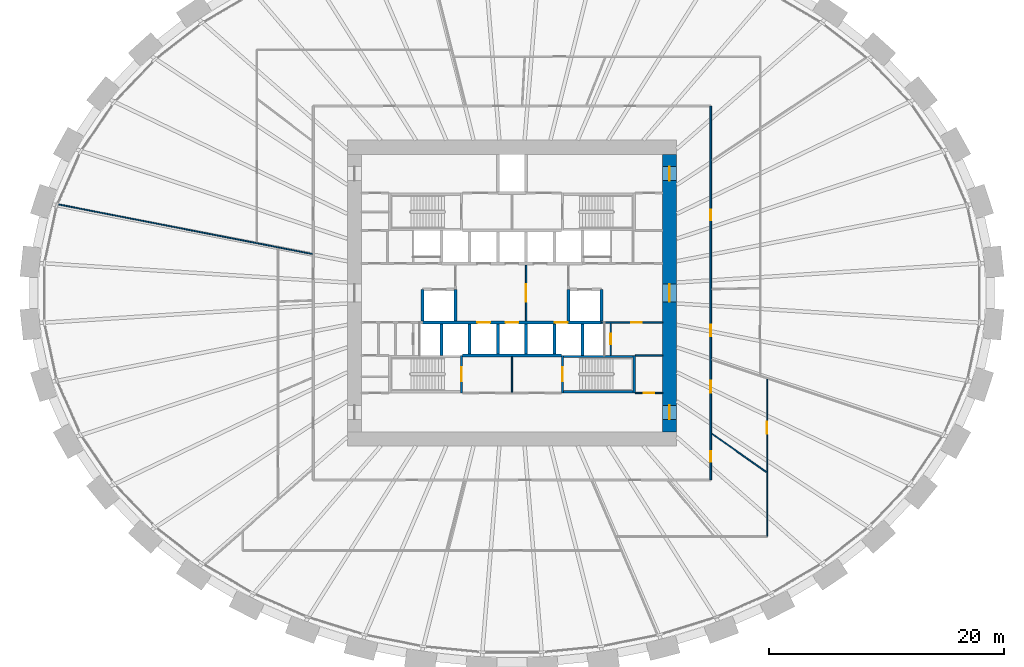
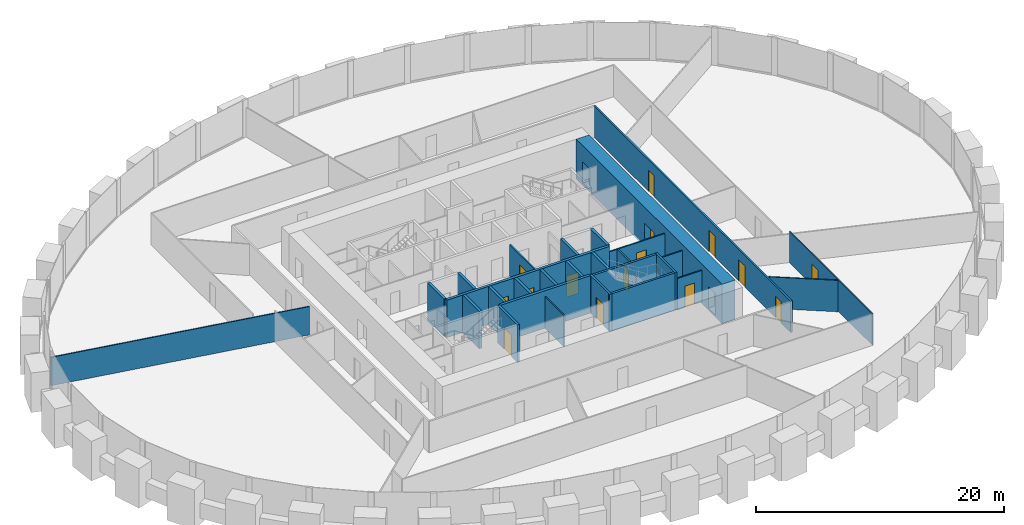
# One storey, part 7 of 10: 28 walls, 17 doors, 17 openings.
"""IFC4 building model written with IfcOpenShell, lengths in metres."""

from ifc_helpers import new_model, si_unit, direction, frame, frame_2d, origin, place, context, subcontext, project, spatial, rectangle, extrude, source, transform, mapped, material, layer, layer_set, type_object, element, fill, save


model = new_model("IFC4")

# Units and contexts
model_context = context("Model", 3, precision=1e-05, world=origin(), true_north=direction((0.0, 1.0)))
body_context = subcontext(model_context, "Body", "Model", "MODEL_VIEW")
ifc_project = project(units=[si_unit("LENGTHUNIT", "METRE"), si_unit("AREAUNIT", "SQUARE_METRE"), si_unit("VOLUMEUNIT", "CUBIC_METRE"), si_unit("PLANEANGLEUNIT", "RADIAN"), si_unit("MASSUNIT", "GRAM", prefix="KILO")], contexts=[model_context])

# Site, building, storey
site_placement = place(None, origin())
site = spatial("IfcSite", under=ifc_project, at=site_placement, CompositionType="ELEMENT")
building_placement = place(site_placement, origin())
building = spatial("IfcBuilding", under=site, at=building_placement, Name="Embergate Tower", CompositionType="ELEMENT")
storey_placement = place(building_placement, frame((0.0, 0.0, 93.199951171875)))
storey = spatial("IfcBuildingStorey", under=building, at=storey_placement, Name="L19", CompositionType="ELEMENT", Elevation=93.199951171875)

# Wall, openings, doors
ifc_material_1 = material(Name="Concrete C80", Category="concrete")
ifc_layer_1 = layer(ifc_material_1, 1.199951171875)
ifc_layer_set_1 = layer_set([ifc_layer_1], Name="Concrete C80")
wall_type_1 = type_object("IfcWallType", Name="Core outer wall C80 1200", PredefinedType="SHEAR", material=ifc_layer_set_1)
shared_shape_1 = source(origin(), body_context, "Body", "SweptSolid", [
    extrude(rectangle(XDim=23.60009765625, YDim=1.199951171875, at=frame_2d((11.800048828125, 0.0))), origin(), (0.0, 0.0, 1.0), 3.89990234375),
])
wall_1_placement = place(storey_placement, frame((13.39990234375, -11.800048828125, -0.199951171875), z_axis=(0.0, 0.0, 1.0), x_axis=(0.0, 1.0, 0.0)))
wall_1 = element("IfcWall", 1, at=wall_1_placement, inside=storey, type_object=wall_type_1, Name="CW-L19-E", PredefinedType="SHEAR", context=body_context, shape_type="MappedRepresentation", body=[
    mapped(shared_shape_1, transform((0.0, 0.0, 0.0))),
])
shared_shape_2 = source(origin(), body_context, "Body", "SweptSolid", [
    extrude(rectangle(XDim=1.199951171875, YDim=2.10009765625, at=frame_2d((0.60009765625, 1.050048828125))), frame((0.0, 0.60986328125, 0.0), z_axis=(0.0, -1.0, 0.0), x_axis=(1.0, 0.0, 0.0)), (0.0, 0.0, 1.0), 1.219970703125),
])
opening_1_placement = place(wall_1_placement, frame((21.35009765625, 0.0, 0.199951171875)))
opening_1 = element("IfcOpeningElement", 2, at=opening_1_placement, cuts=wall_1, Name="Opening IF-1", PredefinedType="OPENING", context=body_context, shape_type="MappedRepresentation", body=[
    mapped(shared_shape_2, transform((0.0, 0.0, 0.0))),
])
opening_2_placement = place(wall_1_placement, frame((1.050048828125, 0.0, 0.199951171875)))
opening_2 = element("IfcOpeningElement", 3, at=opening_2_placement, cuts=wall_1, Name="Opening IF-1", PredefinedType="OPENING", context=body_context, shape_type="MappedRepresentation", body=[
    mapped(shared_shape_2, transform((0.0, 0.0, 0.0))),
])
shared_shape_3 = source(origin(), body_context, "Body", "SweptSolid", [
    extrude(rectangle(XDim=1.5, YDim=2.10009765625, at=frame_2d((0.75, 1.050048828125))), frame((0.0, 0.60986328125, 0.0), z_axis=(0.0, -1.0, 0.0), x_axis=(1.0, 0.0, 0.0)), (0.0, 0.0, 1.0), 1.219970703125),
])
opening_3_placement = place(wall_1_placement, frame((11.050048828125, 0.0, 0.199951171875)))
opening_3 = element("IfcOpeningElement", 4, at=opening_3_placement, cuts=wall_1, Name="Opening IF-3", PredefinedType="OPENING", context=body_context, shape_type="MappedRepresentation", body=[
    mapped(shared_shape_3, transform((0.0, 0.0, 0.0))),
])
ifc_material_2 = material(Name="Escape fire door 1200")
door_type_1 = type_object("IfcDoorType", Name="Escape fire door 1200", OperationType="SINGLE_SWING_LEFT", PredefinedType="DOOR", material=ifc_material_2)
shared_shape_4 = source(origin(), body_context, "Body", "SweptSolid", [
    extrude(rectangle(XDim=1.199951171875, YDim=2.10009765625, at=frame_2d((0.60009765625, 1.050048828125))), frame((0.0, 0.02490234375, 0.0), z_axis=(0.0, -1.0, 0.0), x_axis=(1.0, 0.0, 0.0)), (0.0, 0.0, 1.0), 0.050048828125),
])
door_1_placement = place(opening_1_placement, origin())
door_1 = element("IfcDoor", 5, at=door_1_placement, inside=storey, type_object=door_type_1, Name="IF-1 door", OperationType="SINGLE_SWING_RIGHT", OverallHeight=2.10009765625, OverallWidth=1.199951171875, PredefinedType="DOOR", context=body_context, shape_type="MappedRepresentation", body=[
    mapped(shared_shape_4, transform((0.0, 0.0, 0.0))),
])
fill(opening_1, door_1)
door_2_placement = place(opening_2_placement, origin())
door_2 = element("IfcDoor", 6, at=door_2_placement, inside=storey, type_object=door_type_1, Name="IF-1 door", OperationType="SINGLE_SWING_RIGHT", OverallHeight=2.10009765625, OverallWidth=1.199951171875, PredefinedType="DOOR", context=body_context, shape_type="MappedRepresentation", body=[
    mapped(shared_shape_4, transform((0.0, 0.0, 0.0))),
])
fill(opening_2, door_2)
ifc_material_3 = material(Name="Lobby fire door pair 1500")
door_type_2 = type_object("IfcDoorType", Name="Lobby fire door pair 1500", OperationType="DOUBLE_DOOR_SINGLE_SWING", PredefinedType="DOOR", material=ifc_material_3)
shared_shape_5 = source(origin(), body_context, "Body", "SweptSolid", [
    extrude(rectangle(XDim=1.5, YDim=2.10009765625, at=frame_2d((0.75, 1.050048828125))), frame((0.0, 0.02490234375, 0.0), z_axis=(0.0, -1.0, 0.0), x_axis=(1.0, 0.0, 0.0)), (0.0, 0.0, 1.0), 0.050048828125),
])
door_3_placement = place(opening_3_placement, origin())
door_3 = element("IfcDoor", 7, at=door_3_placement, inside=storey, type_object=door_type_2, Name="IF-3 door", OperationType="DOUBLE_DOOR_SINGLE_SWING", OverallHeight=2.10009765625, OverallWidth=1.5, PredefinedType="DOOR", context=body_context, shape_type="MappedRepresentation", body=[
    mapped(shared_shape_5, transform((0.0, 0.0, 0.0))),
])
fill(opening_3, door_3)

# Walls
ifc_material_4 = material(Name="Concrete C50", Category="concrete")
ifc_layer_2 = layer(ifc_material_4, 0.25)
ifc_layer_set_2 = layer_set([ifc_layer_2], Name="Concrete C50")
wall_type_2 = type_object("IfcWallType", Name="Hoistway wall reinforced concrete 250", PredefinedType="SHEAR", material=ifc_layer_set_2)
shared_shape_6 = source(origin(), body_context, "Body", "SweptSolid", [
    extrude(rectangle(XDim=2.675048828125, YDim=0.25, at=frame_2d((1.33740234375, 0.0))), origin(), (0.0, 0.0, 1.0), 3.699951171875),
])
for number, where, z_axis, x_axis, name in (
    (8, (-6.0, -5.300048828125, 0.0), (0.0, 0.0, 1.0), (0.0, 1.0, 0.0), "HW-1 wall"),
    (9, (6.0, -5.300048828125, 0.0), (0.0, 0.0, 1.0), (0.0, 1.0, 0.0), "HW-1 wall"),
    (10, (-4.800048828125, 0.300048828125, 0.0), (0.0, 0.0, 1.0), (0.0, -1.0, 0.0), "HW-1 wall"),
    (11, (4.800048828125, -2.375, 0.0), (0.0, 0.0, 1.0), (0.0, 1.0, 0.0), "HW-1 wall"),
    (12, (-7.60009765625, 0.300048828125, 0.0), (0.0, 0.0, 1.0), (0.0, -1.0, 0.0), "HW-1 wall"),
    (13, (7.60009765625, -2.375, 0.0), (0.0, 0.0, 1.0), (0.0, 1.0, 0.0), "HW-1 wall"),
):
    element("IfcWall", number, at=place(storey_placement, frame(where, z_axis=z_axis, x_axis=x_axis)), inside=storey, type_object=wall_type_2, Name=name, PredefinedType="SHEAR", context=body_context, shape_type="MappedRepresentation", body=[
        mapped(shared_shape_6, transform((0.0, 0.0, 0.0))),
    ])
ifc_layer_3 = layer(ifc_material_4, 0.199951171875)
ifc_layer_set_3 = layer_set([ifc_layer_3], Name="Concrete C50")
wall_type_3 = type_object("IfcWallType", Name="Stair enclosure wall reinforced concrete 250", PredefinedType="SHEAR", material=ifc_layer_set_3)
shared_shape_7 = source(origin(), body_context, "Body", "SweptSolid", [
    extrude(rectangle(XDim=6.300048828125, YDim=0.199951171875, at=frame_2d((3.14990234375, 0.0))), origin(), (0.0, 0.0, 1.0), 3.699951171875),
])
for number, where, z_axis, x_axis, name in (
    (14, (4.199951171875, -5.39990234375, 0.0), (0.0, 0.0, 1.0), (1.0, 0.0, 0.0), "SE-1 wall"),
    (15, (4.199951171875, -8.39990234375, 0.0), (0.0, 0.0, 1.0), (1.0, 0.0, 0.0), "SE-1 wall"),
):
    element("IfcWall", number, at=place(storey_placement, frame(where, z_axis=z_axis, x_axis=x_axis)), inside=storey, type_object=wall_type_3, Name=name, PredefinedType="SHEAR", context=body_context, shape_type="MappedRepresentation", body=[
        mapped(shared_shape_7, transform((0.0, 0.0, 0.0))),
    ])

# Wall, opening, door
ifc_material_5 = material(Name="Core partition blockwork 120")
ifc_layer_4 = layer(ifc_material_5, 0.1201171875)
ifc_layer_set_4 = layer_set([ifc_layer_4], Name="Core partition blockwork 120")
wall_type_4 = type_object("IfcWallType", Name="Core partition blockwork 120", PredefinedType="PARTITIONING", material=ifc_layer_set_4)
shared_shape_8 = source(origin(), body_context, "Body", "SweptSolid", [
    extrude(rectangle(XDim=2.739990234375, YDim=0.1201171875, at=frame_2d((1.3701171875, 0.0))), origin(), (0.0, 0.0, 1.0), 3.10009765625),
])
wall_2_placement = place(storey_placement, frame((8.39990234375, -5.300048828125, 0.0), z_axis=(0.0, 0.0, 1.0), x_axis=(0.0, 1.0, 0.0)))
wall_2 = element("IfcWall", 16, at=wall_2_placement, inside=storey, type_object=wall_type_4, Name="IP-3 wall", PredefinedType="PARTITIONING", context=body_context, shape_type="MappedRepresentation", body=[
    mapped(shared_shape_8, transform((0.0, 0.0, 0.0))),
])
shared_shape_9 = source(origin(), body_context, "Body", "SweptSolid", [
    extrude(rectangle(XDim=0.89990234375, YDim=2.10009765625, at=frame_2d((0.449951171875, 1.050048828125))), frame((0.0, 0.070068359375, 0.0), z_axis=(0.0, -1.0, 0.0), x_axis=(1.0, 0.0, 0.0)), (0.0, 0.0, 1.0), 0.14013671875),
])
opening_4_placement = place(wall_2_placement, frame((0.949951171875, 0.0, 0.0)))
opening_4 = element("IfcOpeningElement", 17, at=opening_4_placement, cuts=wall_2, Name="Opening ID-1", PredefinedType="OPENING", context=body_context, shape_type="MappedRepresentation", body=[
    mapped(shared_shape_9, transform((0.0, 0.0, 0.0))),
])
ifc_material_6 = material(Name="Interior door 900")
door_type_3 = type_object("IfcDoorType", Name="Interior door 900", OperationType="SINGLE_SWING_LEFT", PredefinedType="DOOR", material=ifc_material_6)
shared_shape_10 = source(origin(), body_context, "Body", "SweptSolid", [
    extrude(rectangle(XDim=0.89990234375, YDim=2.10009765625, at=frame_2d((0.449951171875, 1.050048828125))), frame((0.0, 0.02490234375, 0.0), z_axis=(0.0, -1.0, 0.0), x_axis=(1.0, 0.0, 0.0)), (0.0, 0.0, 1.0), 0.050048828125),
])
door_4_placement = place(opening_4_placement, origin())
door_4 = element("IfcDoor", 18, at=door_4_placement, inside=storey, type_object=door_type_3, Name="ID-1 door", OperationType="SINGLE_SWING_LEFT", OverallHeight=2.10009765625, OverallWidth=0.89990234375, PredefinedType="DOOR", context=body_context, shape_type="MappedRepresentation", body=[
    mapped(shared_shape_10, transform((0.0, 0.0, 0.0))),
])
fill(opening_4, door_4)

# Walls
shared_shape_11 = source(origin(), body_context, "Body", "SweptSolid", [
    extrude(rectangle(XDim=2.550048828125, YDim=0.25, at=frame_2d((1.27490234375, 0.0))), origin(), (0.0, 0.0, 1.0), 3.699951171875),
])
for number, where, z_axis, x_axis, name in (
    (19, (-3.60009765625, -5.175048828125, 0.0), (0.0, 0.0, 1.0), (0.0, 1.0, 0.0), "HW-1 wall"),
    (20, (-1.199951171875, -5.175048828125, 0.0), (0.0, 0.0, 1.0), (0.0, 1.0, 0.0), "HW-1 wall"),
    (21, (1.199951171875, -5.175048828125, 0.0), (0.0, 0.0, 1.0), (0.0, 1.0, 0.0), "HW-1 wall"),
    (22, (3.60009765625, -5.175048828125, 0.0), (0.0, 0.0, 1.0), (0.0, 1.0, 0.0), "HW-1 wall"),
):
    element("IfcWall", number, at=place(storey_placement, frame(where, z_axis=z_axis, x_axis=x_axis)), inside=storey, type_object=wall_type_2, Name=name, PredefinedType="SHEAR", context=body_context, shape_type="MappedRepresentation", body=[
        mapped(shared_shape_11, transform((0.0, 0.0, 0.0))),
    ])
shared_shape_12 = source(origin(), body_context, "Body", "SweptSolid", [
    extrude(rectangle(XDim=8.39990234375, YDim=0.25, at=frame_2d((4.199951171875, 0.0))), origin(), (0.0, 0.0, 1.0), 3.699951171875),
])
wall_3_placement = place(storey_placement, frame((-4.199951171875, -5.300048828125, 0.0), z_axis=(0.0, 0.0, 1.0), x_axis=(1.0, 0.0, 0.0)))
element("IfcWall", 23, at=wall_3_placement, inside=storey, type_object=wall_type_2, Name="HW-1 wall", PredefinedType="SHEAR", context=body_context, shape_type="MappedRepresentation", body=[
    mapped(shared_shape_12, transform((0.0, 0.0, 0.0))),
])

# Wall, openings, doors
shared_shape_13 = source(origin(), body_context, "Body", "SweptSolid", [
    extrude(rectangle(XDim=15.2001953125, YDim=0.25, at=frame_2d((7.60009765625, 0.0))), origin(), (0.0, 0.0, 1.0), 3.699951171875),
])
wall_4_placement = place(storey_placement, frame((7.60009765625, -2.5, 0.0), z_axis=(0.0, 0.0, 1.0), x_axis=(-1.0, 0.0, 0.0)))
wall_4 = element("IfcWall", 24, at=wall_4_placement, inside=storey, type_object=wall_type_2, Name="HW-1 wall", PredefinedType="SHEAR", context=body_context, shape_type="MappedRepresentation", body=[
    mapped(shared_shape_13, transform((0.0, 0.0, 0.0))),
])
shared_shape_14 = source(origin(), body_context, "Body", "SweptSolid", [
    extrude(rectangle(XDim=1.10009765625, YDim=2.10009765625, at=frame_2d((0.550048828125, 1.050048828125))), frame((0.0, 0.135009765625, 0.0), z_axis=(0.0, -1.0, 0.0), x_axis=(1.0, 0.0, 0.0)), (0.0, 0.0, 1.0), 0.27001953125),
])
opening_5_placement = place(wall_4_placement, frame((9.449951171875, 0.0, 0.0)))
opening_5 = element("IfcOpeningElement", 25, at=opening_5_placement, cuts=wall_4, Name="Opening LD", PredefinedType="OPENING", context=body_context, shape_type="MappedRepresentation", body=[
    mapped(shared_shape_14, transform((0.0, 0.0, 0.0))),
])
opening_6_placement = place(wall_4_placement, frame((7.050048828125, 0.0, 0.0)))
opening_6 = element("IfcOpeningElement", 26, at=opening_6_placement, cuts=wall_4, Name="Opening LD", PredefinedType="OPENING", context=body_context, shape_type="MappedRepresentation", body=[
    mapped(shared_shape_14, transform((0.0, 0.0, 0.0))),
])
opening_7_placement = place(wall_4_placement, frame((2.85009765625, 0.0, 0.0)))
opening_7 = element("IfcOpeningElement", 27, at=opening_7_placement, cuts=wall_4, Name="Opening LD", PredefinedType="OPENING", context=body_context, shape_type="MappedRepresentation", body=[
    mapped(shared_shape_14, transform((0.0, 0.0, 0.0))),
])
ifc_material_7 = material(Name="Landing door sliding 1100")
door_type_4 = type_object("IfcDoorType", Name="Landing door sliding 1100", OperationType="SLIDING_TO_LEFT", PredefinedType="DOOR", material=ifc_material_7)
shared_shape_15 = source(origin(), body_context, "Body", "SweptSolid", [
    extrude(rectangle(XDim=1.10009765625, YDim=2.10009765625, at=frame_2d((0.550048828125, 1.050048828125))), frame((0.0, 0.02490234375, 0.0), z_axis=(0.0, -1.0, 0.0), x_axis=(1.0, 0.0, 0.0)), (0.0, 0.0, 1.0), 0.050048828125),
])
door_5_placement = place(opening_5_placement, origin())
door_5 = element("IfcDoor", 28, at=door_5_placement, inside=storey, type_object=door_type_4, Name="LD door", OperationType="SLIDING_TO_RIGHT", OverallHeight=2.10009765625, OverallWidth=1.10009765625, PredefinedType="DOOR", context=body_context, shape_type="MappedRepresentation", body=[
    mapped(shared_shape_15, transform((0.0, 0.0, 0.0))),
])
fill(opening_5, door_5)
door_6_placement = place(opening_6_placement, origin())
door_6 = element("IfcDoor", 29, at=door_6_placement, inside=storey, type_object=door_type_4, Name="LD door", OperationType="SLIDING_TO_LEFT", OverallHeight=2.10009765625, OverallWidth=1.10009765625, PredefinedType="DOOR", context=body_context, shape_type="MappedRepresentation", body=[
    mapped(shared_shape_15, transform((0.0, 0.0, 0.0))),
])
fill(opening_6, door_6)
door_7_placement = place(opening_7_placement, origin())
door_7 = element("IfcDoor", 30, at=door_7_placement, inside=storey, type_object=door_type_4, Name="LD door", OperationType="SLIDING_TO_LEFT", OverallHeight=2.10009765625, OverallWidth=1.10009765625, PredefinedType="DOOR", context=body_context, shape_type="MappedRepresentation", body=[
    mapped(shared_shape_15, transform((0.0, 0.0, 0.0))),
])
fill(opening_7, door_7)

# Wall, opening, door
shared_shape_16 = source(origin(), body_context, "Body", "SweptSolid", [
    extrude(rectangle(XDim=5.199951171875, YDim=0.1201171875, at=frame_2d((2.60009765625, 0.0))), origin(), (0.0, 0.0, 1.0), 3.10009765625),
])
wall_5_placement = place(storey_placement, frame((12.800048828125, -2.5, 0.0), z_axis=(0.0, 0.0, 1.0), x_axis=(-1.0, 0.0, 0.0)))
wall_5 = element("IfcWall", 31, at=wall_5_placement, inside=storey, type_object=wall_type_4, Name="IP-3 wall", PredefinedType="PARTITIONING", context=body_context, shape_type="MappedRepresentation", body=[
    mapped(shared_shape_16, transform((0.0, 0.0, 0.0))),
])
opening_8_placement = place(wall_5_placement, frame((1.75, 0.0, 0.0)))
opening_8 = element("IfcOpeningElement", 32, at=opening_8_placement, cuts=wall_5, Name="Opening ID-1", PredefinedType="OPENING", context=body_context, shape_type="MappedRepresentation", body=[
    mapped(shared_shape_9, transform((0.0, 0.0, 0.0))),
])
door_8_placement = place(opening_8_placement, origin())
door_8 = element("IfcDoor", 33, at=door_8_placement, inside=storey, type_object=door_type_3, Name="ID-1 door", OperationType="SINGLE_SWING_LEFT", OverallHeight=2.10009765625, OverallWidth=0.89990234375, PredefinedType="DOOR", context=body_context, shape_type="MappedRepresentation", body=[
    mapped(shared_shape_10, transform((0.0, 0.0, 0.0))),
])
fill(opening_8, door_8)

shared_shape_17 = source(origin(), body_context, "Body", "SweptSolid", [
    extrude(rectangle(XDim=4.75, YDim=0.1201171875, at=frame_2d((2.375, 0.0))), origin(), (0.0, 0.0, 1.0), 3.10009765625),
])
wall_6_placement = place(storey_placement, frame((1.199951171875, -2.375, 0.0), z_axis=(0.0, 0.0, 1.0), x_axis=(0.0, 1.0, 0.0)))
wall_6 = element("IfcWall", 34, at=wall_6_placement, inside=storey, type_object=wall_type_4, Name="IP-3 wall", PredefinedType="PARTITIONING", context=body_context, shape_type="MappedRepresentation", body=[
    mapped(shared_shape_17, transform((0.0, 0.0, 0.0))),
])
shared_shape_18 = source(origin(), body_context, "Body", "SweptSolid", [
    extrude(rectangle(XDim=1.5, YDim=2.10009765625, at=frame_2d((0.75, 1.050048828125))), frame((0.0, 0.070068359375, 0.0), z_axis=(0.0, -1.0, 0.0), x_axis=(1.0, 0.0, 0.0)), (0.0, 0.0, 1.0), 0.14013671875),
])
opening_9_placement = place(wall_6_placement, frame((1.625, 0.0, 0.0)))
opening_9 = element("IfcOpeningElement", 35, at=opening_9_placement, cuts=wall_6, Name="Opening IF-3", PredefinedType="OPENING", context=body_context, shape_type="MappedRepresentation", body=[
    mapped(shared_shape_18, transform((0.0, 0.0, 0.0))),
])
door_9_placement = place(opening_9_placement, origin())
door_9 = element("IfcDoor", 36, at=door_9_placement, inside=storey, type_object=door_type_2, Name="IF-3 door", OperationType="DOUBLE_DOOR_SINGLE_SWING", OverallHeight=2.10009765625, OverallWidth=1.5, PredefinedType="DOOR", context=body_context, shape_type="MappedRepresentation", body=[
    mapped(shared_shape_5, transform((0.0, 0.0, 0.0))),
])
fill(opening_9, door_9)

shared_shape_19 = source(origin(), body_context, "Body", "SweptSolid", [
    extrude(rectangle(XDim=3.199951171875, YDim=0.199951171875, at=frame_2d((1.60009765625, 0.0))), origin(), (0.0, 0.0, 1.0), 3.699951171875),
])
wall_7_placement = place(storey_placement, frame((-4.300048828125, -8.5, 0.0), z_axis=(0.0, 0.0, 1.0), x_axis=(0.0, 1.0, 0.0)))
wall_7 = element("IfcWall", 37, at=wall_7_placement, inside=storey, type_object=wall_type_3, Name="SE-1 wall", PredefinedType="SHEAR", context=body_context, shape_type="MappedRepresentation", body=[
    mapped(shared_shape_19, transform((0.0, 0.0, 0.0))),
])
shared_shape_20 = source(origin(), body_context, "Body", "SweptSolid", [
    extrude(rectangle(XDim=1.199951171875, YDim=2.10009765625, at=frame_2d((0.60009765625, 1.050048828125))), frame((0.0, 0.10986328125, 0.0), z_axis=(0.0, -1.0, 0.0), x_axis=(1.0, 0.0, 0.0)), (0.0, 0.0, 1.0), 0.219970703125),
])
opening_10_placement = place(wall_7_placement, frame((1.0, 0.0, 0.0)))
opening_10 = element("IfcOpeningElement", 38, at=opening_10_placement, cuts=wall_7, Name="Opening IF-2", PredefinedType="OPENING", context=body_context, shape_type="MappedRepresentation", body=[
    mapped(shared_shape_20, transform((0.0, 0.0, 0.0))),
])
ifc_material_8 = material(Name="Stair enclosure door 1200")
door_type_5 = type_object("IfcDoorType", Name="Stair enclosure door 1200", OperationType="SINGLE_SWING_LEFT", PredefinedType="DOOR", material=ifc_material_8)
door_10_placement = place(opening_10_placement, origin())
door_10 = element("IfcDoor", 39, at=door_10_placement, inside=storey, type_object=door_type_5, Name="IF-2 door", OperationType="SINGLE_SWING_RIGHT", OverallHeight=2.10009765625, OverallWidth=1.199951171875, PredefinedType="DOOR", context=body_context, shape_type="MappedRepresentation", body=[
    mapped(shared_shape_4, transform((0.0, 0.0, 0.0))),
])
fill(opening_10, door_10)

wall_8_placement = place(storey_placement, frame((4.300048828125, -5.300048828125, 0.0), z_axis=(0.0, 0.0, 1.0), x_axis=(0.0, -1.0, 0.0)))
wall_8 = element("IfcWall", 40, at=wall_8_placement, inside=storey, type_object=wall_type_3, Name="SE-1 wall", PredefinedType="SHEAR", context=body_context, shape_type="MappedRepresentation", body=[
    mapped(shared_shape_19, transform((0.0, 0.0, 0.0))),
])
opening_11_placement = place(wall_8_placement, frame((1.0, 0.0, 0.0)))
opening_11 = element("IfcOpeningElement", 41, at=opening_11_placement, cuts=wall_8, Name="Opening IF-2", PredefinedType="OPENING", context=body_context, shape_type="MappedRepresentation", body=[
    mapped(shared_shape_20, transform((0.0, 0.0, 0.0))),
])
door_11_placement = place(opening_11_placement, origin())
door_11 = element("IfcDoor", 42, at=door_11_placement, inside=storey, type_object=door_type_5, Name="IF-2 door", OperationType="SINGLE_SWING_LEFT", OverallHeight=2.10009765625, OverallWidth=1.199951171875, PredefinedType="DOOR", context=body_context, shape_type="MappedRepresentation", body=[
    mapped(shared_shape_4, transform((0.0, 0.0, 0.0))),
])
fill(opening_11, door_11)

# Walls
wall_9_placement = place(storey_placement, frame((10.39990234375, -8.5, 0.0), z_axis=(0.0, 0.0, 1.0), x_axis=(0.0, 1.0, 0.0)))
element("IfcWall", 43, at=wall_9_placement, inside=storey, type_object=wall_type_3, Name="SE-1 wall", PredefinedType="SHEAR", context=body_context, shape_type="MappedRepresentation", body=[
    mapped(shared_shape_19, transform((0.0, 0.0, 0.0))),
])
shared_shape_21 = source(origin(), body_context, "Body", "SweptSolid", [
    extrude(rectangle(XDim=3.014892578125, YDim=0.1201171875, at=frame_2d((1.50732421875, 0.0))), origin(), (0.0, 0.0, 1.0), 3.10009765625),
])
wall_10_placement = place(storey_placement, frame((0.0, -8.43994140625, 0.0), z_axis=(0.0, 0.0, 1.0), x_axis=(0.0, 1.0, 0.0)))
element("IfcWall", 44, at=wall_10_placement, inside=storey, type_object=wall_type_4, Name="IP-3 wall", PredefinedType="PARTITIONING", context=body_context, shape_type="MappedRepresentation", body=[
    mapped(shared_shape_21, transform((0.0, 0.0, 0.0))),
])

# Wall, opening, door
shared_shape_22 = source(origin(), body_context, "Body", "SweptSolid", [
    extrude(rectangle(XDim=2.300048828125, YDim=0.1201171875, at=frame_2d((1.14990234375, 0.0))), origin(), (0.0, 0.0, 1.0), 3.10009765625),
])
wall_11_placement = place(storey_placement, frame((12.800048828125, -8.5, 0.0), z_axis=(0.0, 0.0, 1.0), x_axis=(-1.0, 0.0, 0.0)))
wall_11 = element("IfcWall", 45, at=wall_11_placement, inside=storey, type_object=wall_type_4, Name="IP-3 wall", PredefinedType="PARTITIONING", context=body_context, shape_type="MappedRepresentation", body=[
    mapped(shared_shape_22, transform((0.0, 0.0, 0.0))),
])
opening_12_placement = place(wall_11_placement, frame((0.699951171875, 0.0, 0.0)))
opening_12 = element("IfcOpeningElement", 46, at=opening_12_placement, cuts=wall_11, Name="Opening ID-1", PredefinedType="OPENING", context=body_context, shape_type="MappedRepresentation", body=[
    mapped(shared_shape_9, transform((0.0, 0.0, 0.0))),
])
door_12_placement = place(opening_12_placement, origin())
door_12 = element("IfcDoor", 47, at=door_12_placement, inside=storey, type_object=door_type_3, Name="ID-1 door", OperationType="SINGLE_SWING_RIGHT", OverallHeight=2.10009765625, OverallWidth=0.89990234375, PredefinedType="DOOR", context=body_context, shape_type="MappedRepresentation", body=[
    mapped(shared_shape_10, transform((0.0, 0.0, 0.0))),
])
fill(opening_12, door_12)

# Wall
wall_12_placement = place(storey_placement, frame((10.5, -5.300048828125, 0.0), z_axis=(0.0, 0.0, 1.0), x_axis=(1.0, 0.0, 0.0)))
element("IfcWall", 48, at=wall_12_placement, inside=storey, type_object=wall_type_4, Name="IP-3 wall", PredefinedType="PARTITIONING", context=body_context, shape_type="MappedRepresentation", body=[
    mapped(shared_shape_22, transform((0.0, 0.0, 0.0))),
])

# Wall, openings, doors
ifc_material_9 = material(Name="Corridor wall dry-lined 150")
ifc_layer_5 = layer(ifc_material_9, 0.14990234375)
ifc_layer_set_5 = layer_set([ifc_layer_5], Name="Corridor wall dry-lined 150")
wall_type_5 = type_object("IfcWallType", Name="Corridor wall dry-lined 150", PredefinedType="PARTITIONING", material=ifc_layer_set_5)
shared_shape_23 = source(origin(), body_context, "Body", "SweptSolid", [
    extrude(rectangle(XDim=31.7998046875, YDim=0.14990234375, at=frame_2d((15.89990234375, 0.0))), origin(), (0.0, 0.0, 1.0), 3.10009765625),
])
wall_13_placement = place(storey_placement, frame((16.89990234375, 15.89990234375, 0.0), z_axis=(0.0, 0.0, 1.0), x_axis=(0.0, -1.0, 0.0)))
wall_13 = element("IfcWall", 49, at=wall_13_placement, inside=storey, type_object=wall_type_5, Name="IP-2 wall", PredefinedType="PARTITIONING", context=body_context, shape_type="MappedRepresentation", body=[
    mapped(shared_shape_23, transform((0.0, 0.0, 0.0))),
])
shared_shape_24 = source(origin(), body_context, "Body", "SweptSolid", [
    extrude(rectangle(XDim=0.89990234375, YDim=2.10009765625, at=frame_2d((0.449951171875, 1.050048828125))), frame((0.0, 0.0849609375, 0.0), z_axis=(0.0, -1.0, 0.0), x_axis=(1.0, 0.0, 0.0)), (0.0, 0.0, 1.0), 0.169921875),
])
opening_13_placement = place(wall_13_placement, frame((29.34912109375, 0.0, 0.0)))
opening_13 = element("IfcOpeningElement", 50, at=opening_13_placement, cuts=wall_13, Name="Opening IF-1c", PredefinedType="OPENING", context=body_context, shape_type="MappedRepresentation", body=[
    mapped(shared_shape_24, transform((0.0, 0.0, 0.0))),
])
shared_shape_25 = source(origin(), body_context, "Body", "SweptSolid", [
    extrude(rectangle(XDim=1.0, YDim=2.10009765625, at=frame_2d((0.5, 1.050048828125))), frame((0.0, 0.0849609375, 0.0), z_axis=(0.0, -1.0, 0.0), x_axis=(1.0, 0.0, 0.0)), (0.0, 0.0, 1.0), 0.169921875),
])
opening_14_placement = place(wall_13_placement, frame((23.37890625, 0.0, 0.0)))
opening_14 = element("IfcOpeningElement", 51, at=opening_14_placement, cuts=wall_13, Name="Opening ID-2", PredefinedType="OPENING", context=body_context, shape_type="MappedRepresentation", body=[
    mapped(shared_shape_25, transform((0.0, 0.0, 0.0))),
])
opening_15_placement = place(wall_13_placement, frame((18.580078125, 0.0, 0.0)))
opening_15 = element("IfcOpeningElement", 52, at=opening_15_placement, cuts=wall_13, Name="Opening ID-2", PredefinedType="OPENING", context=body_context, shape_type="MappedRepresentation", body=[
    mapped(shared_shape_25, transform((0.0, 0.0, 0.0))),
])
opening_16_placement = place(wall_13_placement, frame((8.822021484375, 0.0, 0.0)))
opening_16 = element("IfcOpeningElement", 53, at=opening_16_placement, cuts=wall_13, Name="Opening IF-1c", PredefinedType="OPENING", context=body_context, shape_type="MappedRepresentation", body=[
    mapped(shared_shape_24, transform((0.0, 0.0, 0.0))),
])
ifc_material_10 = material(Name="Escape fire door 900")
door_type_6 = type_object("IfcDoorType", Name="Escape fire door 900", OperationType="SINGLE_SWING_LEFT", PredefinedType="DOOR", material=ifc_material_10)
door_13_placement = place(opening_13_placement, origin())
door_13 = element("IfcDoor", 54, at=door_13_placement, inside=storey, type_object=door_type_6, Name="IF-1 door", OperationType="SINGLE_SWING_RIGHT", OverallHeight=2.10009765625, OverallWidth=0.89990234375, PredefinedType="DOOR", context=body_context, shape_type="MappedRepresentation", body=[
    mapped(shared_shape_10, transform((0.0, 0.0, 0.0))),
])
fill(opening_13, door_13)
door_14_placement = place(opening_16_placement, origin())
door_14 = element("IfcDoor", 55, at=door_14_placement, inside=storey, type_object=door_type_6, Name="IF-1 door", OperationType="SINGLE_SWING_RIGHT", OverallHeight=2.10009765625, OverallWidth=0.89990234375, PredefinedType="DOOR", context=body_context, shape_type="MappedRepresentation", body=[
    mapped(shared_shape_10, transform((0.0, 0.0, 0.0))),
])
fill(opening_16, door_14)
ifc_material_11 = material(Name="Interior door 1000")
door_type_7 = type_object("IfcDoorType", Name="Interior door 1000", OperationType="SINGLE_SWING_LEFT", PredefinedType="DOOR", material=ifc_material_11)
shared_shape_26 = source(origin(), body_context, "Body", "SweptSolid", [
    extrude(rectangle(XDim=1.0, YDim=2.10009765625, at=frame_2d((0.5, 1.050048828125))), frame((0.0, 0.02490234375, 0.0), z_axis=(0.0, -1.0, 0.0), x_axis=(1.0, 0.0, 0.0)), (0.0, 0.0, 1.0), 0.050048828125),
])
door_15_placement = place(opening_14_placement, origin())
door_15 = element("IfcDoor", 56, at=door_15_placement, inside=storey, type_object=door_type_7, Name="ID-2 door", OperationType="SINGLE_SWING_LEFT", OverallHeight=2.10009765625, OverallWidth=1.0, PredefinedType="DOOR", context=body_context, shape_type="MappedRepresentation", body=[
    mapped(shared_shape_26, transform((0.0, 0.0, 0.0))),
])
fill(opening_14, door_15)
door_16_placement = place(opening_15_placement, origin())
door_16 = element("IfcDoor", 57, at=door_16_placement, inside=storey, type_object=door_type_7, Name="ID-2 door", OperationType="SINGLE_SWING_RIGHT", OverallHeight=2.10009765625, OverallWidth=1.0, PredefinedType="DOOR", context=body_context, shape_type="MappedRepresentation", body=[
    mapped(shared_shape_26, transform((0.0, 0.0, 0.0))),
])
fill(opening_15, door_16)

# Wall
ifc_material_12 = material(Name="Partition dry-lined 100")
ifc_layer_6 = layer(ifc_material_12, 0.10009765625)
ifc_layer_set_6 = layer_set([ifc_layer_6], Name="Partition dry-lined 100")
wall_type_6 = type_object("IfcWallType", Name="Partition dry-lined 100", PredefinedType="PARTITIONING", material=ifc_layer_set_6)
shared_shape_27 = source(origin(), body_context, "Body", "SweptSolid", [
    extrude(rectangle(XDim=5.64697265625, YDim=0.10009765625, at=frame_2d((2.823486328125, 0.0))), origin(), (0.0, 0.0, 1.0), 3.10009765625),
])
wall_14_placement = place(storey_placement, frame((17.00390625, -11.971923828125, 0.0), z_axis=(0.0, 0.0, 1.0), x_axis=(0.817652649487, -0.575711859167, 0.0)))
element("IfcWall", 58, at=wall_14_placement, inside=storey, type_object=wall_type_6, Name="IP-1 wall", PredefinedType="PARTITIONING", context=body_context, shape_type="MappedRepresentation", body=[
    mapped(shared_shape_27, transform((0.0, 0.0, 0.0))),
])

# Wall, opening, door
shared_shape_28 = source(origin(), body_context, "Body", "SweptSolid", [
    extrude(rectangle(XDim=13.385986328125, YDim=0.10009765625, at=frame_2d((6.69287109375, 0.0))), origin(), (0.0, 0.0, 1.0), 3.10009765625),
])
wall_15_placement = place(storey_placement, frame((21.699951171875, -7.31396484375, 0.0), z_axis=(0.0, 0.0, 1.0), x_axis=(0.0, -1.0, 0.0)))
wall_15 = element("IfcWall", 59, at=wall_15_placement, inside=storey, type_object=wall_type_6, Name="IP-1 wall", PredefinedType="PARTITIONING", context=body_context, shape_type="MappedRepresentation", body=[
    mapped(shared_shape_28, transform((0.0, 0.0, 0.0))),
])
shared_shape_29 = source(origin(), body_context, "Body", "SweptSolid", [
    extrude(rectangle(XDim=1.0, YDim=2.10009765625, at=frame_2d((0.5, 1.050048828125))), frame((0.0, 0.06005859375, 0.0), z_axis=(0.0, -1.0, 0.0), x_axis=(1.0, 0.0, 0.0)), (0.0, 0.0, 1.0), 0.1201171875),
])
opening_17_placement = place(wall_15_placement, frame((3.639892578125, 0.0, 0.0)))
opening_17 = element("IfcOpeningElement", 60, at=opening_17_placement, cuts=wall_15, Name="Opening ID-2", PredefinedType="OPENING", context=body_context, shape_type="MappedRepresentation", body=[
    mapped(shared_shape_29, transform((0.0, 0.0, 0.0))),
])
door_17_placement = place(opening_17_placement, origin())
door_17 = element("IfcDoor", 61, at=door_17_placement, inside=storey, type_object=door_type_7, Name="ID-2 door", OperationType="SINGLE_SWING_LEFT", OverallHeight=2.10009765625, OverallWidth=1.0, PredefinedType="DOOR", context=body_context, shape_type="MappedRepresentation", body=[
    mapped(shared_shape_26, transform((0.0, 0.0, 0.0))),
])
fill(opening_17, door_17)

# Wall
shared_shape_30 = source(origin(), body_context, "Body", "SweptSolid", [
    extrude(rectangle(XDim=22.083740234375, YDim=0.10009765625, at=frame_2d((11.0419921875, 0.0))), origin(), (0.0, 0.0, 1.0), 2.800048828125),
])
wall_16_placement = place(storey_placement, frame((-16.985107421875, 3.318115234375, 0.0), z_axis=(0.0, 0.0, 1.0), x_axis=(-0.981440991078, 0.191764389376, 0.0)))
element("IfcWall", 62, at=wall_16_placement, inside=storey, type_object=wall_type_6, Name="IP-1 wall", PredefinedType="PARTITIONING", context=body_context, shape_type="MappedRepresentation", body=[
    mapped(shared_shape_30, transform((0.0, 0.0, 0.0))),
])

save(model, "model.ifc")
